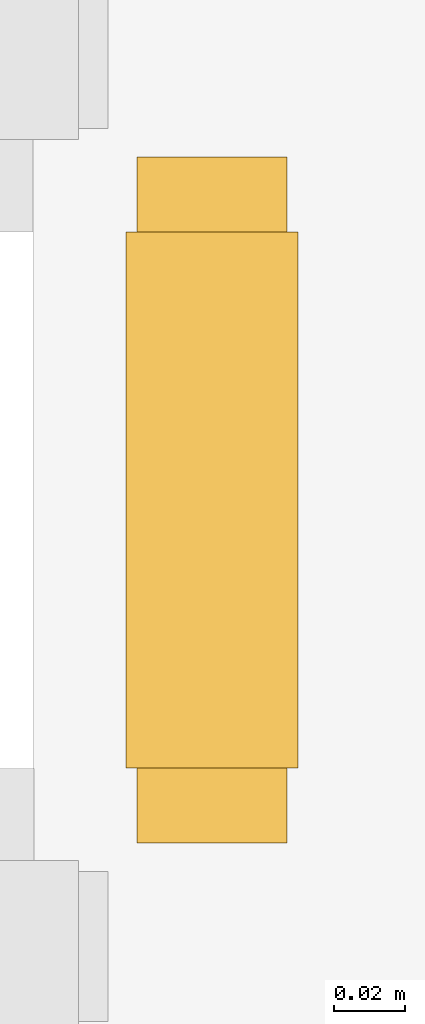
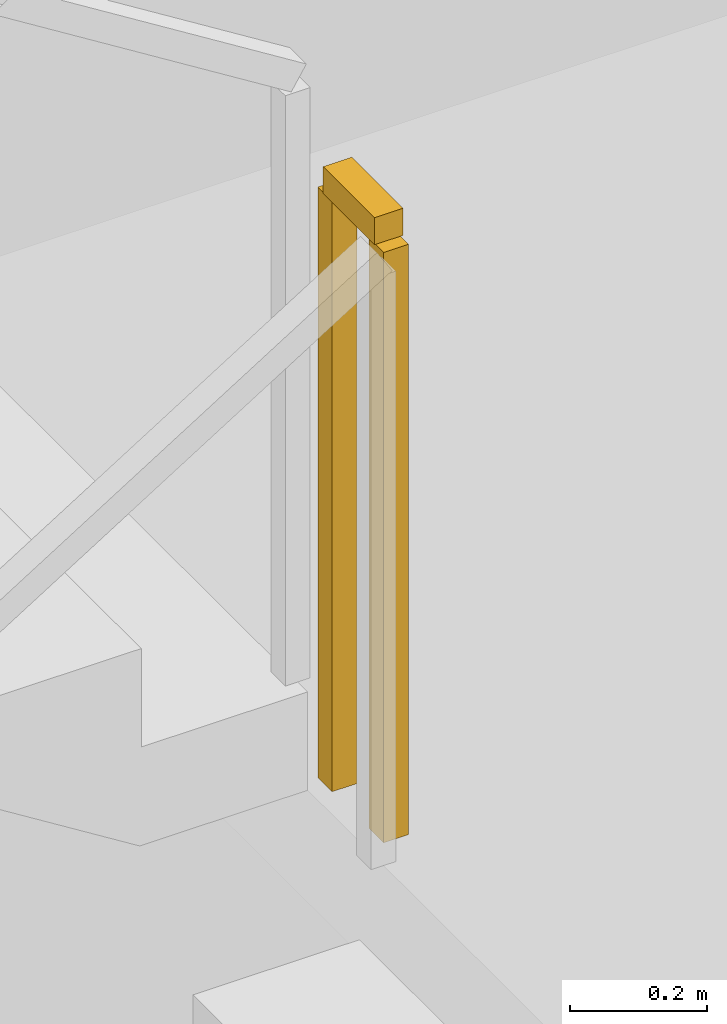
# One storey, part 12 of 14: 1 railing.
"""IFC4 building model written with IfcOpenShell, lengths in metres."""

from ifc_helpers import new_model, si_unit, direction, frame, origin, origin_2d, place, context, subcontext, project, spatial, rectangle, extrude, material, type_object, element, save


model = new_model("IFC4")

# Units and contexts
model_context = context("Model", 3, precision=1e-05, world=origin(), true_north=direction((0.0, 1.0)))
body_context = subcontext(model_context, "Body", "Model", "MODEL_VIEW")
ifc_project = project(units=[si_unit("LENGTHUNIT", "METRE"), si_unit("AREAUNIT", "SQUARE_METRE"), si_unit("VOLUMEUNIT", "CUBIC_METRE"), si_unit("PLANEANGLEUNIT", "RADIAN"), si_unit("MASSUNIT", "GRAM", prefix="KILO")], contexts=[model_context])

# Site, building, storey
site_placement = place(None, origin())
site = spatial("IfcSite", under=ifc_project, at=site_placement, CompositionType="ELEMENT")
building_placement = place(site_placement, origin())
building = spatial("IfcBuilding", under=site, at=building_placement, Name="Norrkilde Senior Care Towers", CompositionType="ELEMENT")
storey_placement = place(building_placement, frame((0.0, 0.0, -4.199951171875)))
storey = spatial("IfcBuildingStorey", under=building, at=storey_placement, Name="B1", CompositionType="ELEMENT", Elevation=-4.199951171875)

# Railing
ifc_material = material(Name="Stainless Steel", Category="steel")
railing_type = type_object("IfcRailingType", Name="Stair and Terrace Guardrail 1100", PredefinedType="GUARDRAIL", material=ifc_material)
railing_placement = place(storey_placement, frame((11.929931640625, -15.39990234375, 2.099853515625)))
element("IfcRailing", 1, at=railing_placement, inside=storey, type_object=railing_type, Name="B1 ST-P2 stair guard 2", PredefinedType="GUARDRAIL", context=body_context, shape_type="SweptSolid", body=[
    extrude(rectangle(XDim=0.048095703125, YDim=0.048095703125, at=origin_2d()), frame((0.0, 0.0, 1.076171875), z_axis=(0.0, 1.0, 0.0), x_axis=(-1.0, 0.0, 0.0)), (0.0, 0.0, 1.0), 0.14990234375),
    extrude(rectangle(XDim=0.0419921875, YDim=0.0419921875, at=origin_2d()), origin(), (0.0, 0.0, 1.0), 1.050048828125),
    extrude(rectangle(XDim=0.0419921875, YDim=0.0419921875, at=origin_2d()), frame((0.0, 0.14990234375, 0.0)), (0.0, 0.0, 1.0), 1.050048828125),
])

save(model, "model.ifc")
